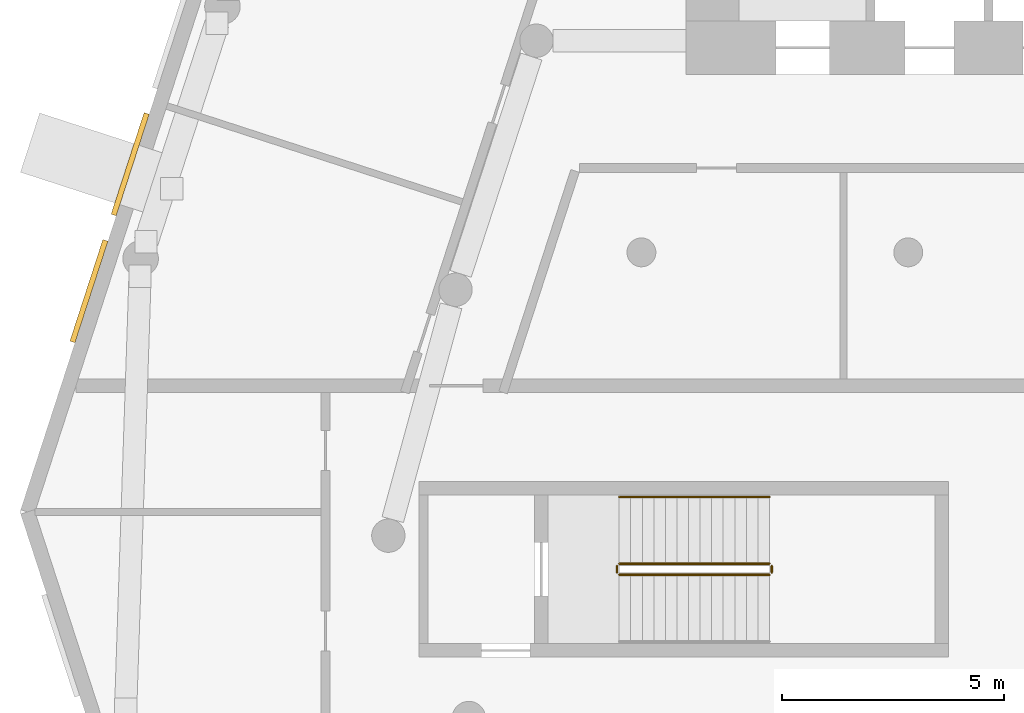
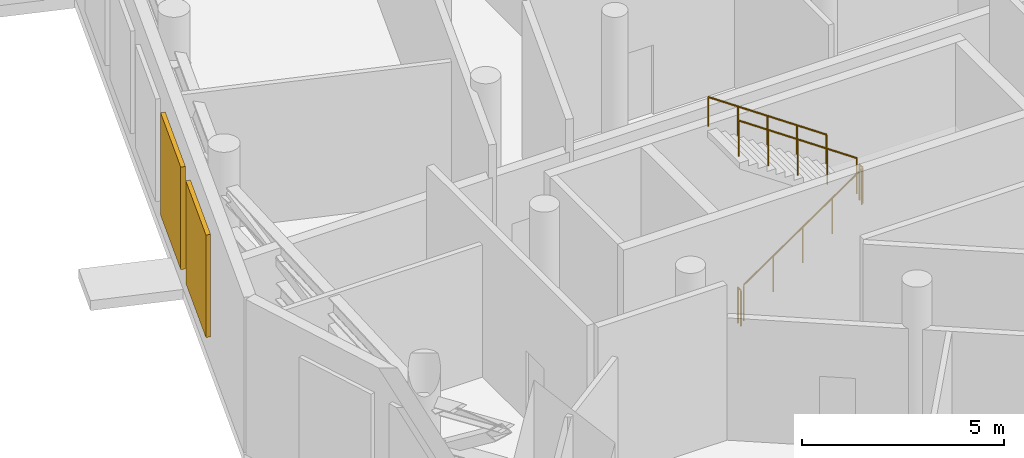
# One storey, part 12 of 15: 5 railings, 2 shading devices.
"""IFC4 building model written with IfcOpenShell, lengths in metres."""

from ifc_helpers import new_model, si_unit, direction, frame, origin, origin_2d, place, context, subcontext, project, spatial, rectangle, circle, extrude, material, type_object, element, save


model = new_model("IFC4")

# Units and contexts
model_context = context("Model", 3, precision=1e-05, world=origin(), true_north=direction((0.0, 1.0)))
body_context = subcontext(model_context, "Body", "Model", "MODEL_VIEW")
ifc_project = project(units=[si_unit("LENGTHUNIT", "METRE"), si_unit("AREAUNIT", "SQUARE_METRE"), si_unit("VOLUMEUNIT", "CUBIC_METRE"), si_unit("PLANEANGLEUNIT", "RADIAN"), si_unit("MASSUNIT", "GRAM", prefix="KILO")], contexts=[model_context])

# Site, building, storey
site_placement = place(None, origin())
site = spatial("IfcSite", under=ifc_project, at=site_placement, CompositionType="ELEMENT")
building_placement = place(site_placement, origin())
building = spatial("IfcBuilding", under=site, at=building_placement, Name="White Candle Pilgrim Tower", CompositionType="ELEMENT")
storey_placement = place(building_placement, frame((0.0, 0.0, 85.800048828125)))
storey = spatial("IfcBuildingStorey", under=building, at=storey_placement, Name="L18", CompositionType="ELEMENT", Elevation=85.800048828125)

# Shading devices
ifc_material_1 = material(Name="Aluminium", Category="aluminium")
shading_device_type = type_object("IfcShadingDeviceType", Name="Plant louvre LV2 2400x3100 aluminium framed", PredefinedType="USERDEFINED", material=ifc_material_1)
for number, where, z_axis, x_axis, name in (
    (1, (46.505126953125, 68.98193359375, 0.7998046875), (0.0, 0.0, 1.0), (-0.309016991122, -0.951056517352, 0.0), "Plant louvre L18 WNW 5"),
    (2, (45.578125, 66.128662109375, 0.7998046875), (0.0, 0.0, 1.0), (-0.309016991122, -0.951056517352, 0.0), "Plant louvre L18 WNW 6"),
):
    element("IfcShadingDevice", number, at=place(storey_placement, frame(where, z_axis=z_axis, x_axis=x_axis)), inside=storey, type_object=shading_device_type, Name=name, ObjectType="LOUVRE", PredefinedType="USERDEFINED", context=body_context, shape_type="SweptSolid", body=[
        extrude(rectangle(XDim=2.39990234375, YDim=0.1201171875, at=origin_2d()), origin(), (0.0, 0.0, 1.0), 3.10009765625),
    ])

# Railings
ifc_material_2 = material(Name="Stainless steel", Category="steel")
railing_type_1 = type_object("IfcRailingType", Name="Stair guard stainless steel 1100 mm", PredefinedType="GUARDRAIL", material=ifc_material_2)
railing_1_placement = place(storey_placement, frame((57.5, 59.75, 0.178466796875)))
element("IfcRailing", 3, at=railing_1_placement, inside=storey, type_object=railing_type_1, Name="L18 ST5 stair guard 1", PredefinedType="GUARDRAIL", context=body_context, shape_type="SweptSolid", body=[
    extrude(circle(Radius=0.02392578125, at=origin_2d()), frame((0.0, 0.0, 1.076171875), z_axis=(0.824285065979, 0.0, 0.566174999451), x_axis=(0.0, 1.0, 0.0)), (0.0, 0.0, 1.0), 4.100341796875),
    extrude(circle(Radius=0.02099609375, at=origin_2d()), origin(), (0.0, 0.0, 1.0), 1.052001953125),
    extrude(circle(Radius=0.02099609375, at=origin_2d()), frame((0.844970703125, 0.0, 0.580322265625)), (0.0, 0.0, 1.0), 1.052001953125),
    extrude(circle(Radius=0.02099609375, at=origin_2d()), frame((1.68994140625, 0.0, 1.16064453125)), (0.0, 0.0, 1.0), 1.052001953125),
    extrude(circle(Radius=0.02099609375, at=origin_2d()), frame((2.534912109375, 0.0, 1.7412109375)), (0.0, 0.0, 1.0), 1.052001953125),
    extrude(circle(Radius=0.02099609375, at=origin_2d()), frame((3.3798828125, 0.0, 2.321533203125)), (0.0, 0.0, 1.0), 1.052001953125),
])
railing_2_placement = place(storey_placement, frame((60.929931640625, 59.800048828125, 2.5)))
element("IfcRailing", 4, at=railing_2_placement, inside=storey, type_object=railing_type_1, Name="L18 ST5 stair guard 2", PredefinedType="GUARDRAIL", context=body_context, shape_type="SweptSolid", body=[
    extrude(circle(Radius=0.02392578125, at=origin_2d()), frame((0.0, 0.0, 1.076171875), z_axis=(0.0, 1.0, 0.0), x_axis=(-1.0, 0.0, 0.0)), (0.0, 0.0, 1.0), 0.14990234375),
    extrude(circle(Radius=0.02099609375, at=origin_2d()), origin(), (0.0, 0.0, 1.0), 1.052001953125),
    extrude(circle(Radius=0.02099609375, at=origin_2d()), frame((0.0, 0.14990234375, 0.0)), (0.0, 0.0, 1.0), 1.052001953125),
])
railing_3_placement = place(storey_placement, frame((60.8798828125, 60.0, 2.678466796875)))
element("IfcRailing", 5, at=railing_3_placement, inside=storey, type_object=railing_type_1, Name="L18 ST5 stair guard 3", PredefinedType="GUARDRAIL", context=body_context, shape_type="SweptSolid", body=[
    extrude(circle(Radius=0.02392578125, at=origin_2d()), frame((0.0, 0.0, 1.076171875), z_axis=(-0.824285065979, 0.0, 0.566174999451), x_axis=(0.0, -1.0, 0.0)), (0.0, 0.0, 1.0), 4.100341796875),
    extrude(circle(Radius=0.02099609375, at=origin_2d()), origin(), (0.0, 0.0, 1.0), 1.052001953125),
    extrude(circle(Radius=0.02099609375, at=origin_2d()), frame((-0.844970703125, 0.0, 0.580322265625)), (0.0, 0.0, 1.0), 1.052001953125),
    extrude(circle(Radius=0.02099609375, at=origin_2d()), frame((-1.68994140625, 0.0, 1.16064453125)), (0.0, 0.0, 1.0), 1.052001953125),
    extrude(circle(Radius=0.02099609375, at=origin_2d()), frame((-2.534912109375, 0.0, 1.7412109375)), (0.0, 0.0, 1.0), 1.052001953125),
    extrude(circle(Radius=0.02099609375, at=origin_2d()), frame((-3.3798828125, 0.0, 2.321533203125)), (0.0, 0.0, 1.0), 1.052001953125),
])
railing_4_placement = place(storey_placement, frame((57.449951171875, 59.800048828125, 0.0)))
element("IfcRailing", 6, at=railing_4_placement, inside=storey, type_object=railing_type_1, Name="L18 ST5 stair guard 4", PredefinedType="GUARDRAIL", context=body_context, shape_type="SweptSolid", body=[
    extrude(circle(Radius=0.02392578125, at=origin_2d()), frame((0.0, 0.0, 1.076171875), z_axis=(0.0, 1.0, 0.0), x_axis=(-1.0, 0.0, 0.0)), (0.0, 0.0, 1.0), 0.14990234375),
    extrude(circle(Radius=0.02099609375, at=origin_2d()), origin(), (0.0, 0.0, 1.0), 1.052001953125),
    extrude(circle(Radius=0.02099609375, at=origin_2d()), frame((0.0, 0.14990234375, 0.0)), (0.0, 0.0, 1.0), 1.052001953125),
])
railing_type_2 = type_object("IfcRailingType", Name="Stair handrail stainless steel", PredefinedType="HANDRAIL", material=ifc_material_2)
railing_5_placement = place(storey_placement, frame((60.8798828125, 61.5, 2.678466796875)))
element("IfcRailing", 7, at=railing_5_placement, inside=storey, type_object=railing_type_2, Name="L18 ST5 stair handrail 2", PredefinedType="HANDRAIL", context=body_context, shape_type="SweptSolid", body=[
    extrude(circle(Radius=0.02392578125, at=origin_2d()), frame((0.0, 0.0, 0.8759765625), z_axis=(-0.824285065979, 0.0, 0.566174999451), x_axis=(0.0, -1.0, 0.0)), (0.0, 0.0, 1.0), 4.100341796875),
    extrude(circle(Radius=0.02099609375, at=origin_2d()), origin(), (0.0, 0.0, 1.0), 0.851806640625),
    extrude(circle(Radius=0.02099609375, at=origin_2d()), frame((-0.844970703125, 0.0, 0.580322265625)), (0.0, 0.0, 1.0), 0.851806640625),
    extrude(circle(Radius=0.02099609375, at=origin_2d()), frame((-1.68994140625, 0.0, 1.16064453125)), (0.0, 0.0, 1.0), 0.851806640625),
    extrude(circle(Radius=0.02099609375, at=origin_2d()), frame((-2.534912109375, 0.0, 1.7412109375)), (0.0, 0.0, 1.0), 0.851806640625),
    extrude(circle(Radius=0.02099609375, at=origin_2d()), frame((-3.3798828125, 0.0, 2.321533203125)), (0.0, 0.0, 1.0), 0.851806640625),
])

save(model, "model.ifc")
